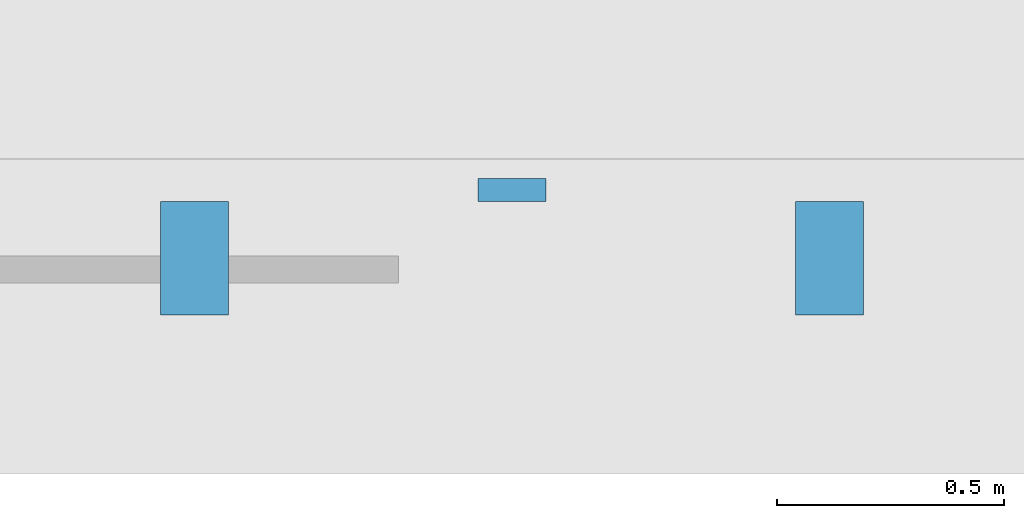
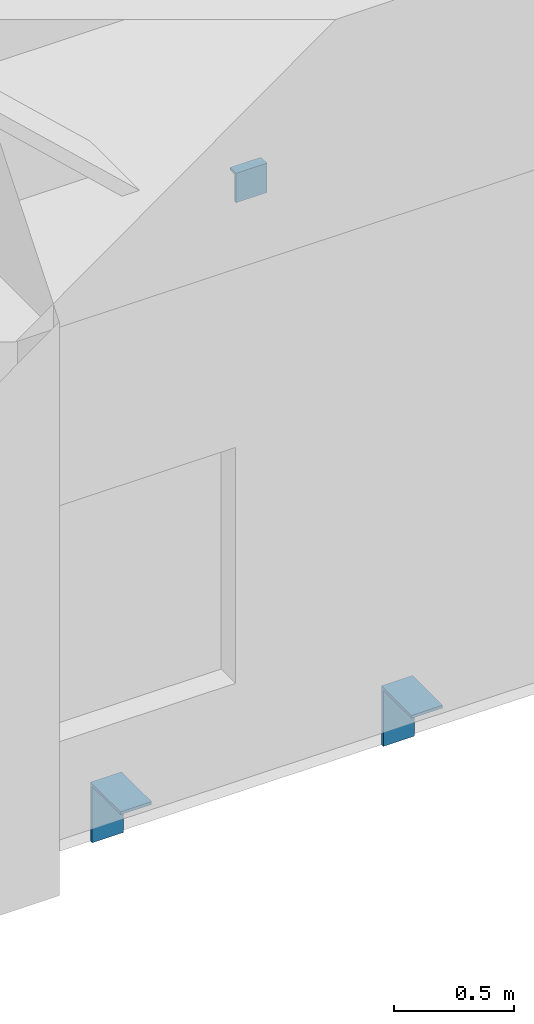
# One storey, part 10 of 16: 3 discrete accessories.
"""IFC4 building model written with IfcOpenShell, lengths in metres."""

from ifc_helpers import new_model, si_unit, direction, frame, origin, place, context, subcontext, project, spatial, polyline, outline, extrude, source, transform, mapped, material, layer, layer_set, type_object, element, save


model = new_model("IFC4")

# Units and contexts
model_context = context("Model", 3, precision=1e-05, world=origin(), true_north=direction((0.0, 1.0)))
body_context = subcontext(model_context, "Body", "Model", "MODEL_VIEW")
ifc_project = project(units=[si_unit("LENGTHUNIT", "METRE"), si_unit("AREAUNIT", "SQUARE_METRE"), si_unit("VOLUMEUNIT", "CUBIC_METRE"), si_unit("PLANEANGLEUNIT", "RADIAN"), si_unit("MASSUNIT", "GRAM", prefix="KILO")], contexts=[model_context])

# Site, building, storey
site_placement = place(None, origin())
site = spatial("IfcSite", under=ifc_project, at=site_placement, CompositionType="ELEMENT")
building_placement = place(site_placement, origin())
building = spatial("IfcBuilding", under=site, at=building_placement, Name="Kilele Tower Hotel", CompositionType="ELEMENT")
storey_placement = place(building_placement, frame((0.0, 0.0, 85.699951171875)))
storey = spatial("IfcBuildingStorey", under=building, at=storey_placement, Name="L21", CompositionType="ELEMENT", Elevation=85.699951171875)

# Discrete accessories
ifc_material_1 = material(Name="Hot-dip galvanized steel S355", Category="steel")
ifc_layer_1 = layer(ifc_material_1, 0.014892578125)
ifc_layer_set_1 = layer_set([ifc_layer_1], Name="Hot-dip galvanized steel S355")
discrete_accessory_type_1 = type_object("IfcDiscreteAccessoryType", Name="Facade panel bearing bracket 250x150x15", PredefinedType="BRACKET", material=ifc_layer_set_1)
shared_shape_1 = source(origin(), body_context, "Body", "SweptSolid", [
    extrude(outline(polyline([(0.0, 0.0), (0.25, 0.0), (0.25, -0.014892578125), (0.014892578125, -0.014892578125), (0.014892578125, -0.300048828125), (0.0, -0.300048828125), (0.0, 0.0)])), origin(), (0.0, 0.0, 1.0), 0.14990234375),
])
for number, where, z_axis, x_axis, name in (
    (1, (28.625, -0.300048828125, 0.0), (-1.0, 0.0, 0.0), (0.0, -1.0, 0.0), "Facade panel bearing bracket L21"),
    (2, (30.02490234375, -0.300048828125, 0.0), (-1.0, 0.0, 0.0), (0.0, -1.0, 0.0), "Facade panel bearing bracket L21"),
):
    element("IfcDiscreteAccessory", number, at=place(storey_placement, frame(where, z_axis=z_axis, x_axis=x_axis)), inside=storey, type_object=discrete_accessory_type_1, Name=name, PredefinedType="BRACKET", context=body_context, shape_type="MappedRepresentation", body=[
        mapped(shared_shape_1, transform((0.0, 0.0, 0.0))),
    ])
ifc_material_2 = material(Name="Hot-dip galvanized steel S355", Category="steel")
ifc_layer_2 = layer(ifc_material_2, 0.011962890625)
ifc_layer_set_2 = layer_set([ifc_layer_2], Name="Hot-dip galvanized steel S355")
discrete_accessory_type_2 = type_object("IfcDiscreteAccessoryType", Name="Facade panel restraint bracket 150x50x12", PredefinedType="BRACKET", material=ifc_layer_set_2)
shared_shape_2 = source(origin(), body_context, "Body", "SweptSolid", [
    extrude(outline(polyline([(0.0, 0.0), (0.0, -0.14990234375), (-0.011962890625, -0.14990234375), (-0.011962890625, -0.011962890625), (-0.050048828125, -0.011962890625), (-0.050048828125, 0.0), (0.0, 0.0)])), origin(), (0.0, 0.0, 1.0), 0.14990234375),
])
discrete_accessory_placement = place(storey_placement, frame((29.324951171875, -0.300048828125, 2.85009765625), z_axis=(-1.0, 0.0, 0.0), x_axis=(0.0, -1.0, 0.0)))
element("IfcDiscreteAccessory", 3, at=discrete_accessory_placement, inside=storey, type_object=discrete_accessory_type_2, Name="Facade panel restraint bracket L21", PredefinedType="BRACKET", context=body_context, shape_type="MappedRepresentation", body=[
    mapped(shared_shape_2, transform((0.0, 0.0, 0.0))),
])

save(model, "model.ifc")
